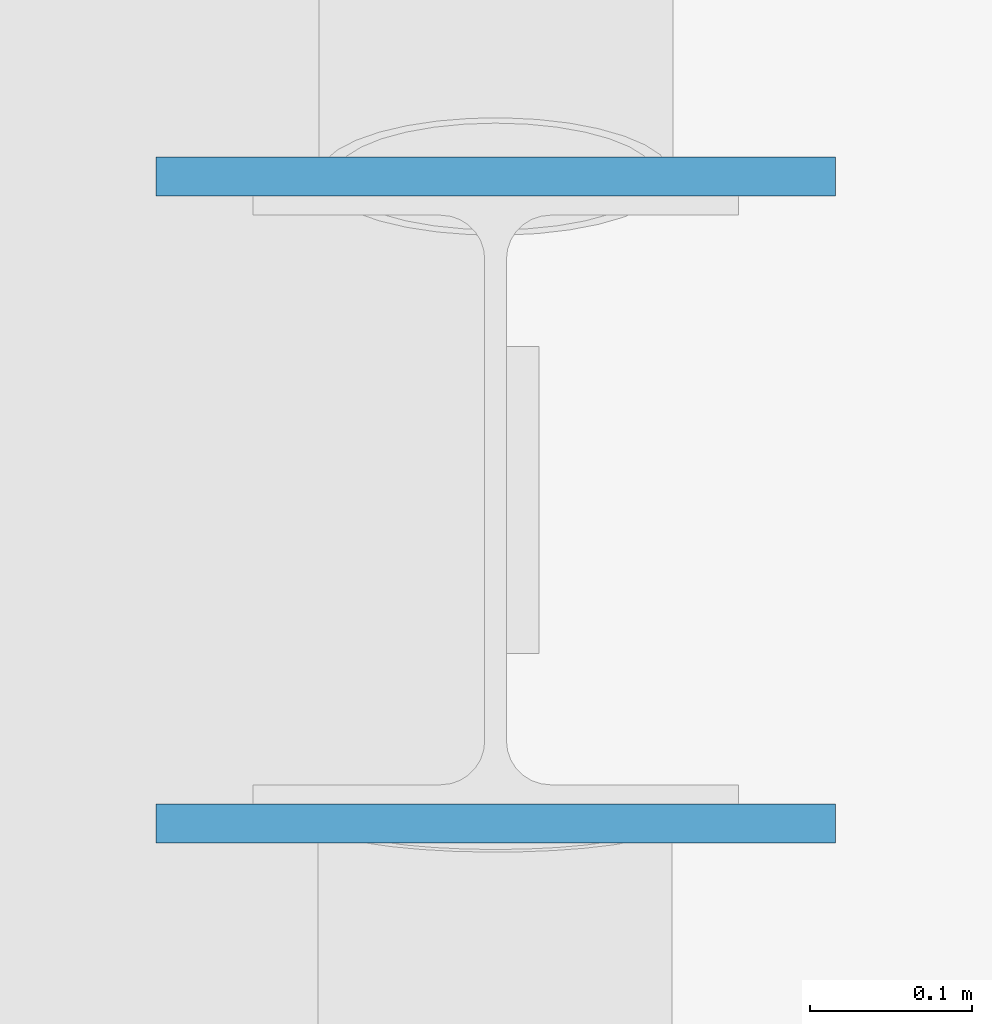
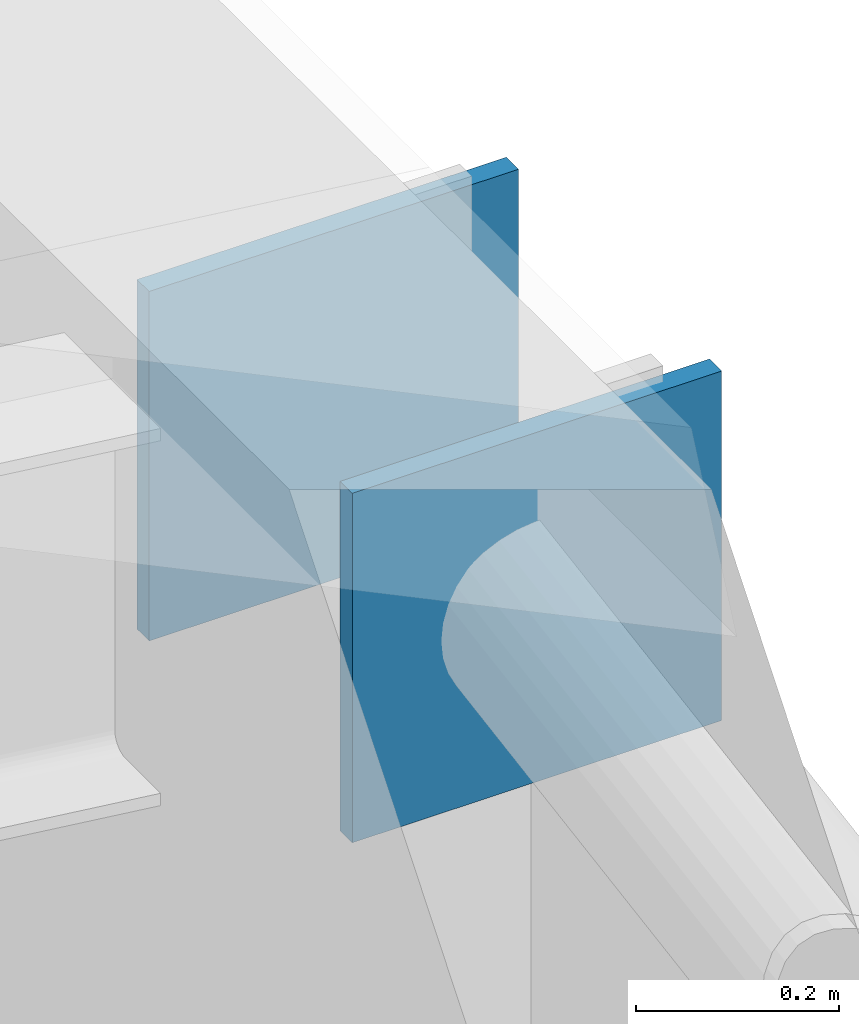
# One storey, part 22 of 27: 2 plates.
"""IFC4 building model written with IfcOpenShell, lengths in metres."""

from ifc_helpers import new_model, si_unit, direction, frame, origin, origin_2d, place, context, subcontext, project, spatial, rectangle, extrude, material, layer, layer_set, type_object, element, save


model = new_model("IFC4")

# Units and contexts
model_context = context("Model", 3, precision=1e-05, world=origin(), true_north=direction((0.0, 1.0)))
body_context = subcontext(model_context, "Body", "Model", "MODEL_VIEW")
ifc_project = project(units=[si_unit("LENGTHUNIT", "METRE"), si_unit("AREAUNIT", "SQUARE_METRE"), si_unit("VOLUMEUNIT", "CUBIC_METRE"), si_unit("PLANEANGLEUNIT", "RADIAN"), si_unit("MASSUNIT", "GRAM", prefix="KILO")], contexts=[model_context])

# Site, building, storey
site_placement = place(None, origin())
site = spatial("IfcSite", under=ifc_project, at=site_placement, CompositionType="ELEMENT")
building_placement = place(site_placement, origin())
building = spatial("IfcBuilding", under=site, at=building_placement, Name="Tazoul Stagehouse", CompositionType="ELEMENT")
storey_placement = place(building_placement, frame((0.0, 0.0, 24.89990234375)))
storey = spatial("IfcBuildingStorey", under=building, at=storey_placement, Name="RF", CompositionType="ELEMENT", Elevation=24.89990234375)

# Plates
ifc_material = material(Name="Steel S355", Category="steel")
ifc_layer = layer(ifc_material, 0.02392578125, Name="Steel S355")
ifc_layer_set = layer_set([ifc_layer], Name="Steel S355")
plate_type = type_object("IfcPlateType", Name="Steel Gusset Node Plate 420x420x24 (Exterior)", PredefinedType="USERDEFINED", material=ifc_layer_set)
for number, where, z_axis, x_axis, name in (
    (1, (102.60009765625, 103.800048828125, 2.490234375), (0.0, 0.0, 1.0), (0.0, 1.0, 0.0), "RF Gusset End-Cap Plate GP-02E (BR-FT-RF-E1-2)"),
    (2, (102.60009765625, 104.199951171875, 2.490234375), (0.0, 0.0, 1.0), (0.0, -1.0, 0.0), "RF Gusset End-Cap Plate GP-02E (BR-FT-RF-E2-2)"),
):
    element("IfcPlate", number, at=place(storey_placement, frame(where, z_axis=z_axis, x_axis=x_axis)), inside=storey, type_object=plate_type, Name=name, ObjectType="GUSSET PLATE", PredefinedType="USERDEFINED", context=body_context, shape_type="SweptSolid", body=[
        extrude(rectangle(XDim=0.02392578125, YDim=0.419921875, at=origin_2d()), origin(), (0.0, 0.0, 1.0), 0.419921875),
    ])

save(model, "model.ifc")
